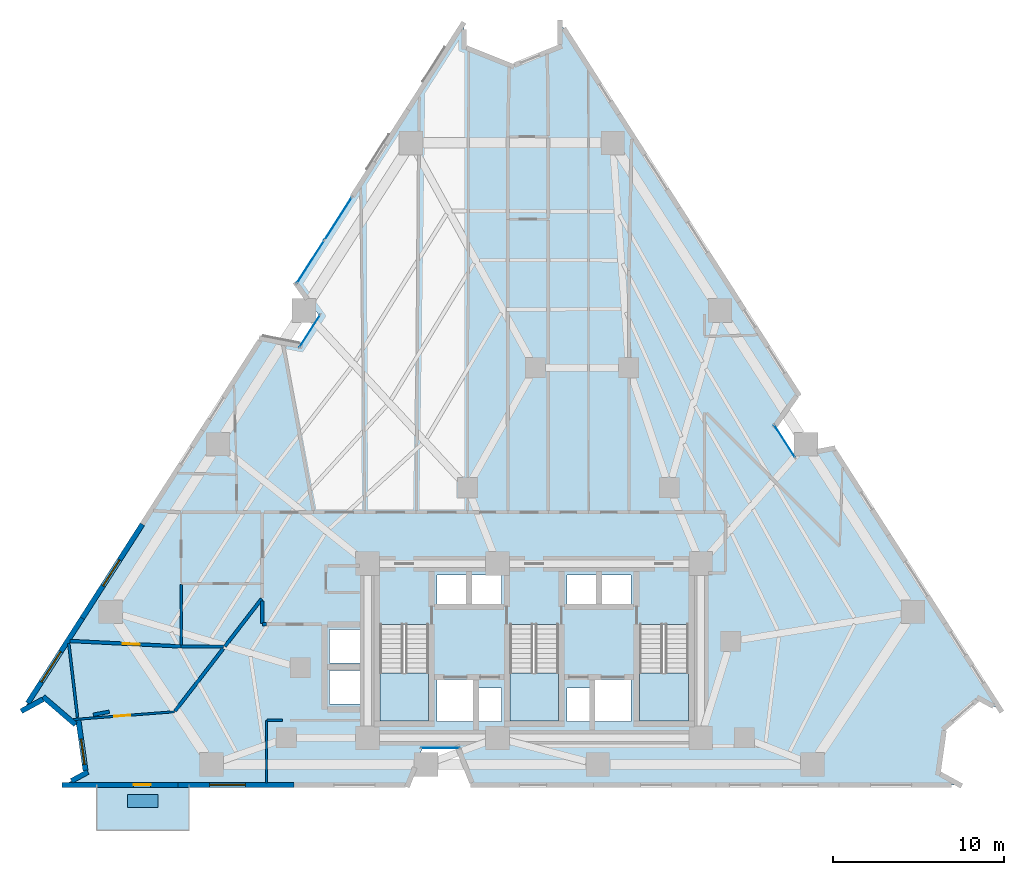
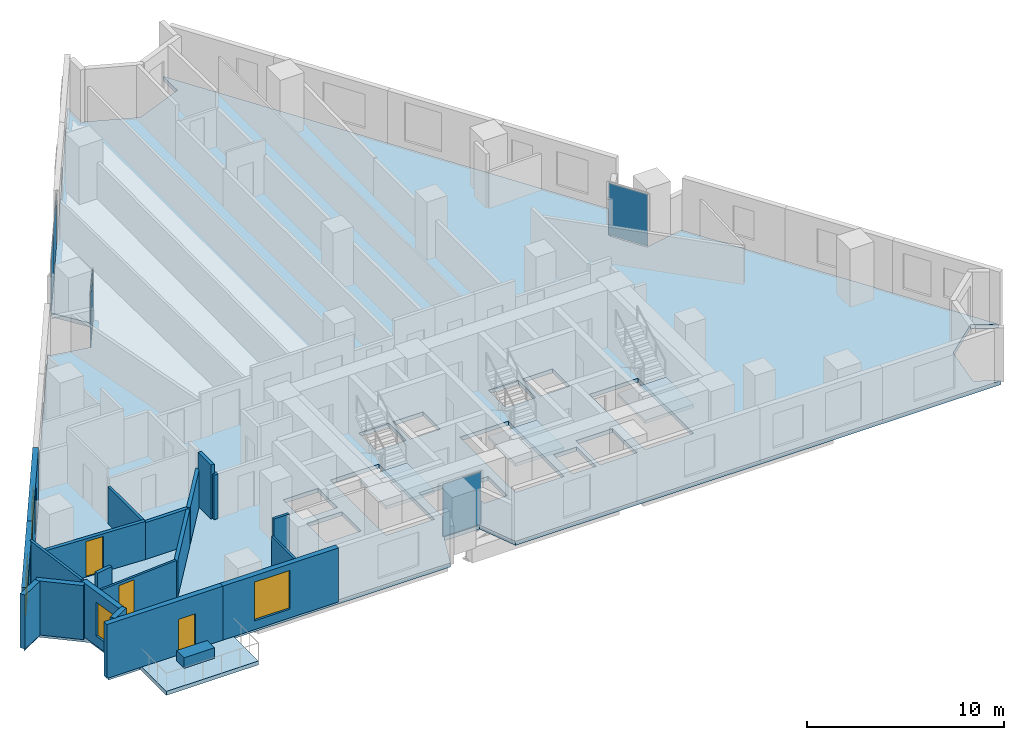
# One storey, part 7 of 15: 20 walls, 6 plates, 5 slabs, 4 windows, 3 doors, 7 openings, 7 elements without a shape of their own.
"""IFC4 building model written with IfcOpenShell, lengths in metres."""

from ifc_helpers import new_model, si_unit, direction, frame, frame_2d, origin, origin_2d, place, context, subcontext, project, spatial, polyline, rectangle, outline, extrude, material, layer, layer_set, type_object, element, fill, aggregate, save


model = new_model("IFC4")

# Units and contexts
model_context = context("Model", 3, precision=1e-05, world=origin(), true_north=direction((0.0, 1.0)))
body_context = subcontext(model_context, "Body", "Model", "MODEL_VIEW")
ifc_project = project(units=[si_unit("LENGTHUNIT", "METRE"), si_unit("AREAUNIT", "SQUARE_METRE"), si_unit("VOLUMEUNIT", "CUBIC_METRE"), si_unit("PLANEANGLEUNIT", "RADIAN"), si_unit("MASSUNIT", "GRAM", prefix="KILO")], contexts=[model_context])

# Site, building, storey
site_placement = place(None, origin())
site = spatial("IfcSite", under=ifc_project, at=site_placement, CompositionType="ELEMENT")
building_placement = place(site_placement, origin())
building = spatial("IfcBuilding", under=site, at=building_placement, Name="Almagre Mirador Tower", CompositionType="ELEMENT")
storey_placement = place(building_placement, frame((0.0, 0.0, 39.0)))
storey = spatial("IfcBuildingStorey", under=building, at=storey_placement, Name="L08", CompositionType="ELEMENT", Elevation=39.0)

# Curtain wall, plate
ifc_material_1 = material(Name="Black anodized aluminium", Category="aluminium")
ifc_layer_1 = layer(ifc_material_1, 0.169921875)
ifc_layer_set_1 = layer_set([ifc_layer_1], Name="Black anodized aluminium")
curtain_wall_type_1 = type_object("IfcCurtainWallType", Name="CW-CRS-SYS", PredefinedType="NOTDEFINED", material=ifc_layer_set_1)
curtain_wall_1_placement = place(storey_placement, origin())
curtain_wall_1 = element("IfcCurtainWall", 1, at=curtain_wall_1_placement, inside=storey, type_object=curtain_wall_type_1, Name="L08 vertical crease curtain wall 01", PredefinedType="NOTDEFINED")
ifc_material_2 = material(Name="Dark solar-control laminated hurricane glass", Category="glass")
ifc_layer_2 = layer(ifc_material_2, 0.028076171875)
ifc_layer_set_2 = layer_set([ifc_layer_2], Name="Dark solar-control laminated hurricane glass")
plate_type_1 = type_object("IfcPlateType", Name="PLT-GLZ-28", PredefinedType="CURTAIN_PANEL", material=ifc_layer_set_2)
plate_1_placement = place(storey_placement, frame((24.173095703125, 28.359619140625, 0.06005859375), z_axis=(0.0, 0.0, 1.0), x_axis=(0.539848636718, 0.841762109764, 0.0)))
plate_1 = element("IfcPlate", 2, at=plate_1_placement, type_object=plate_type_1, Name="CW-4 panel 1.1", PredefinedType="CURTAIN_PANEL", context=body_context, shape_type="SweptSolid", body=[
    extrude(rectangle(XDim=2.24951171875, YDim=0.028076171875, at=origin_2d()), origin(), (0.0, 0.0, 1.0), 3.22998046875),
])
aggregate(curtain_wall_1, [plate_1])

curtain_wall_2_placement = place(storey_placement, origin())
curtain_wall_2 = element("IfcCurtainWall", 3, at=curtain_wall_2_placement, inside=storey, type_object=curtain_wall_type_1, Name="L08 vertical crease curtain wall 03", PredefinedType="NOTDEFINED")
plate_2_placement = place(storey_placement, frame((51.952880859375, 21.92041015625, 0.06005859375), z_axis=(0.0, 0.0, 1.0), x_axis=(0.539848636718, -0.841762109764, 0.0)))
plate_2 = element("IfcPlate", 4, at=plate_2_placement, type_object=plate_type_1, Name="CW-4 panel 1.1", PredefinedType="CURTAIN_PANEL", context=body_context, shape_type="SweptSolid", body=[
    extrude(rectangle(XDim=2.24951171875, YDim=0.028076171875, at=origin_2d()), origin(), (0.0, 0.0, 1.0), 3.22998046875),
])
aggregate(curtain_wall_2, [plate_2])

curtain_wall_3_placement = place(storey_placement, origin())
curtain_wall_3 = element("IfcCurtainWall", 5, at=curtain_wall_3_placement, inside=storey, type_object=curtain_wall_type_1, Name="L08 vertical crease curtain wall 04", PredefinedType="NOTDEFINED")
plate_3_placement = place(storey_placement, frame((31.80810546875, 3.949951171875, 0.06005859375), z_axis=(0.0, 0.0, 1.0), x_axis=(-1.0, 0.0, 0.0)))
plate_3 = element("IfcPlate", 6, at=plate_3_placement, type_object=plate_type_1, Name="CW-4 panel 1.1", PredefinedType="CURTAIN_PANEL", context=body_context, shape_type="SweptSolid", body=[
    extrude(rectangle(XDim=2.25, YDim=0.028076171875, at=origin_2d()), origin(), (0.0, 0.0, 1.0), 3.22998046875),
])
aggregate(curtain_wall_3, [plate_3])

# Curtain wall, plates
ifc_material_3 = material(Name="Black anodized aluminium", Category="aluminium")
ifc_layer_3 = layer(ifc_material_3, 0.18994140625)
ifc_layer_set_3 = layer_set([ifc_layer_3], Name="Black anodized aluminium")
curtain_wall_type_2 = type_object("IfcCurtainWallType", Name="CW-RES-L-SYS", PredefinedType="NOTDEFINED", material=ifc_layer_set_3)
curtain_wall_4_placement = place(storey_placement, origin())
curtain_wall_4 = element("IfcCurtainWall", 7, at=curtain_wall_4_placement, inside=storey, type_object=curtain_wall_type_2, Name="L08 curtain wall run 02", PredefinedType="NOTDEFINED")
ifc_material_4 = material(Name="Dark solar-control laminated hurricane glass", Category="glass")
ifc_layer_4 = layer(ifc_material_4, 0.031982421875)
ifc_layer_set_4 = layer_set([ifc_layer_4], Name="Dark solar-control laminated hurricane glass")
plate_type_2 = type_object("IfcPlateType", Name="PLT-GLZ-32", PredefinedType="CURTAIN_PANEL", material=ifc_layer_set_4)
plate_4_placement = place(storey_placement, frame((24.2138671875, 32.407958984375, 0.06005859375), z_axis=(0.0, 0.0, 1.0), x_axis=(0.539529022287, 0.841967002982, 0.0)))
plate_4 = element("IfcPlate", 8, at=plate_4_placement, type_object=plate_type_2, Name="CW-2 panel 1.1", PredefinedType="CURTAIN_PANEL", context=body_context, shape_type="SweptSolid", body=[
    extrude(rectangle(XDim=2.931640625, YDim=0.031982421875, at=origin_2d()), origin(), (0.0, 0.0, 1.0), 3.22998046875),
])
plate_5_placement = place(storey_placement, frame((25.830810546875, 34.93115234375, 0.06005859375), z_axis=(0.0, 0.0, 1.0), x_axis=(0.539529022287, 0.841967002982, 0.0)))
plate_5 = element("IfcPlate", 9, at=plate_5_placement, type_object=plate_type_2, Name="CW-2 panel 2.1", PredefinedType="CURTAIN_PANEL", context=body_context, shape_type="SweptSolid", body=[
    extrude(rectangle(XDim=2.931640625, YDim=0.031982421875, at=origin_2d()), origin(), (0.0, 0.0, 1.0), 3.22998046875),
])
aggregate(curtain_wall_4, [plate_4, plate_5])

# Plate
ifc_material_5 = material(Name="Precast concrete C50/60", Category="concrete")
ifc_layer_5 = layer(ifc_material_5, 0.64990234375)
ifc_layer_set_5 = layer_set([ifc_layer_5], Name="Precast concrete C50/60")
plate_type_3 = type_object("IfcPlateType", Name="PLT-PLANTER-1800", PredefinedType="USERDEFINED", material=ifc_layer_set_5)
plate_6_placement = place(storey_placement, frame((14.39990234375, 0.85009765625, 0.0), z_axis=(0.0, 0.0, 1.0), x_axis=(1.0, 0.0, 0.0)))
element("IfcPlate", 10, at=plate_6_placement, inside=storey, type_object=plate_type_3, Name="L08 south balcony structural tree planter 1", ObjectType="PLANTER", PredefinedType="USERDEFINED", context=body_context, shape_type="SweptSolid", body=[
    extrude(rectangle(XDim=1.800048828125, YDim=0.75, at=origin_2d()), origin(), (0.0, 0.0, 1.0), 0.64990234375),
])

# Slabs
ifc_material_6 = material(Name="Concrete C45/55", Category="concrete")
ifc_layer_6 = layer(ifc_material_6, 0.239990234375)
ifc_layer_set_6 = layer_set([ifc_layer_6], Name="Concrete C45/55")
slab_type_1 = type_object("IfcSlabType", Name="SLB-BAL-240", PredefinedType="USERDEFINED", material=ifc_layer_set_6)
slab_1_placement = place(storey_placement, frame((0.0, 0.0, -0.239990234375)))
element("IfcSlab", 11, at=slab_1_placement, inside=storey, type_object=slab_type_1, Name="L08 south planted tree balcony 1", ObjectType="BALCONY", PredefinedType="USERDEFINED", context=body_context, shape_type="SweptSolid", body=[
    extrude(outline(polyline([(11.699951171875, 1.820068359375), (17.10009765625, 1.820068359375), (17.10009765625, -0.85009765625), (11.699951171875, -0.85009765625), (11.699951171875, 1.820068359375)])), origin(), (0.0, 0.0, 1.0), 0.239990234375),
])
ifc_material_7 = material(Name="Concrete C45/55", Category="concrete")
ifc_layer_7 = layer(ifc_material_7, 0.25)
ifc_layer_set_7 = layer_set([ifc_layer_7], Name="Concrete C45/55")
slab_type_2 = type_object("IfcSlabType", Name="SLB-FLR-250", PredefinedType="FLOOR", material=ifc_layer_set_7)
slab_2_placement = place(storey_placement, frame((0.0, 0.0, -0.25)))
element("IfcSlab", 12, at=slab_2_placement, inside=storey, type_object=slab_type_2, Name="L08 structural floor slab", PredefinedType="FLOOR", context=body_context, shape_type="SweptSolid", body=[
    extrude(outline(polyline([(7.406005859375, 6.177978515625), (8.6689453125, 6.868896484375), (10.69189453125, 5.132080078125), (11.06298828125, 2.490966796875), (9.800048828125, 1.800048828125), (29.907958984375, 1.800048828125), (30.762939453125, 3.949951171875), (32.85302734375, 3.949951171875), (33.7080078125, 1.800048828125), (62.199951171875, 1.800048828125), (60.93701171875, 2.490966796875), (61.30810546875, 5.132080078125), (63.3310546875, 6.868896484375), (64.593994140625, 6.177978515625), (54.7880859375, 21.48095703125), (52.51708984375, 21.041015625), (51.388916015625, 22.800048828125), (52.738037109375, 24.679931640625), (38.805908203125, 46.422119140625), (38.805908203125, 44.98193359375), (36.0, 43.85595703125), (33.194091796875, 44.98193359375), (33.194091796875, 46.422119140625), (23.387939453125, 31.118896484375), (24.737060546875, 29.239013671875), (23.60888671875, 27.47998046875), (21.337890625, 27.919921875), (7.406005859375, 6.177978515625)]), holes=[polyline([(43.47509765625, 11.196044921875), (46.324951171875, 11.196044921875), (46.324951171875, 5.550048828125), (43.47509765625, 5.550048828125), (43.47509765625, 11.196044921875)]), polyline([(40.820068359375, 5.52001953125), (40.820068359375, 7.97998046875), (42.97998046875, 7.97998046875), (42.97998046875, 5.52001953125), (40.820068359375, 5.52001953125)]), polyline([(41.219970703125, 12.320068359375), (41.219970703125, 14.080078125), (42.97998046875, 14.080078125), (42.97998046875, 12.320068359375), (41.219970703125, 12.320068359375)]), polyline([(39.219970703125, 12.320068359375), (39.219970703125, 14.080078125), (40.97998046875, 14.080078125), (40.97998046875, 12.320068359375), (39.219970703125, 12.320068359375)]), polyline([(39.219970703125, 5.52001953125), (39.219970703125, 7.47998046875), (40.580078125, 7.47998046875), (40.580078125, 5.52001953125), (39.219970703125, 5.52001953125)]), polyline([(35.875, 11.196044921875), (38.72509765625, 11.196044921875), (38.72509765625, 5.550048828125), (35.875, 5.550048828125), (35.875, 11.196044921875)]), polyline([(35.3798828125, 5.52001953125), (34.02001953125, 5.52001953125), (34.02001953125, 7.47998046875), (35.3798828125, 7.47998046875), (35.3798828125, 5.52001953125)]), polyline([(35.3798828125, 12.320068359375), (33.6201171875, 12.320068359375), (33.6201171875, 14.080078125), (35.3798828125, 14.080078125), (35.3798828125, 12.320068359375)]), polyline([(31.6201171875, 5.52001953125), (31.6201171875, 7.97998046875), (33.780029296875, 7.97998046875), (33.780029296875, 5.52001953125), (31.6201171875, 5.52001953125)]), polyline([(31.6201171875, 12.320068359375), (31.6201171875, 14.080078125), (33.3798828125, 14.080078125), (33.3798828125, 12.320068359375), (31.6201171875, 12.320068359375)]), polyline([(28.27490234375, 5.550048828125), (28.27490234375, 11.196044921875), (31.125, 11.196044921875), (31.125, 5.550048828125), (28.27490234375, 5.550048828125)]), polyline([(25.320068359375, 6.52001953125), (25.320068359375, 8.47998046875), (27.3798828125, 8.47998046875), (27.3798828125, 6.52001953125), (25.320068359375, 6.52001953125)]), polyline([(25.320068359375, 8.919921875), (25.320068359375, 10.8798828125), (27.3798828125, 10.8798828125), (27.3798828125, 8.919921875), (25.320068359375, 8.919921875)])]), origin(), (0.0, 0.0, 1.0), 0.25),
])

# Stair, slab
ifc_material_8 = material(Name="Concrete C45/55", Category="concrete")
stair_type = type_object("IfcStairType", Name="STR-DL-3600", PredefinedType="HALF_TURN_STAIR", material=ifc_material_8)
stair_1_placement = place(storey_placement, origin())
stair_1 = element("IfcStair", 13, at=stair_1_placement, inside=storey, type_object=stair_type, Name="L08 Protected exit stair ST-1", PredefinedType="HALF_TURN_STAIR")
ifc_material_9 = material(Name="Concrete C45/55", Category="concrete")
ifc_layer_8 = layer(ifc_material_9, 0.199951171875)
ifc_layer_set_8 = layer_set([ifc_layer_8], Name="Concrete C45/55")
slab_type_3 = type_object("IfcSlabType", Name="SLB-LND-200", PredefinedType="LANDING", material=ifc_layer_set_8)
slab_3_placement = place(storey_placement, frame((0.0, 0.0, 1.60009765625)))
slab_3 = element("IfcSlab", 14, at=slab_3_placement, type_object=slab_type_3, Name="ST-1 landing 1", PredefinedType="LANDING", context=body_context, shape_type="SweptSolid", body=[
    extrude(outline(polyline([(28.27490234375, 8.35009765625), (28.27490234375, 5.550048828125), (31.125, 5.550048828125), (31.125, 8.35009765625), (28.27490234375, 8.35009765625)])), origin(), (0.0, 0.0, 1.0), 0.199951171875),
])
aggregate(stair_1, [slab_3])

stair_2_placement = place(storey_placement, origin())
stair_2 = element("IfcStair", 15, at=stair_2_placement, inside=storey, type_object=stair_type, Name="L08 Protected exit stair ST-2", PredefinedType="HALF_TURN_STAIR")
slab_4_placement = place(storey_placement, frame((0.0, 0.0, 1.60009765625)))
slab_4 = element("IfcSlab", 16, at=slab_4_placement, type_object=slab_type_3, Name="ST-2 landing 1", PredefinedType="LANDING", context=body_context, shape_type="SweptSolid", body=[
    extrude(outline(polyline([(35.875, 8.35009765625), (35.875, 5.550048828125), (38.72509765625, 5.550048828125), (38.72509765625, 8.35009765625), (35.875, 8.35009765625)])), origin(), (0.0, 0.0, 1.0), 0.199951171875),
])
aggregate(stair_2, [slab_4])

stair_3_placement = place(storey_placement, origin())
stair_3 = element("IfcStair", 17, at=stair_3_placement, inside=storey, type_object=stair_type, Name="L08 Protected exit stair ST-3", PredefinedType="HALF_TURN_STAIR")
slab_5_placement = place(storey_placement, frame((0.0, 0.0, 1.60009765625)))
slab_5 = element("IfcSlab", 18, at=slab_5_placement, type_object=slab_type_3, Name="ST-3 landing 1", PredefinedType="LANDING", context=body_context, shape_type="SweptSolid", body=[
    extrude(outline(polyline([(43.47509765625, 8.35009765625), (43.47509765625, 5.550048828125), (46.324951171875, 5.550048828125), (46.324951171875, 8.35009765625), (43.47509765625, 8.35009765625)])), origin(), (0.0, 0.0, 1.0), 0.199951171875),
])
aggregate(stair_3, [slab_5])

# Wall, opening, window
ifc_material_10 = material(Name="Precast concrete C50/60", Category="concrete")
ifc_layer_9 = layer(ifc_material_10, 0.300048828125)
ifc_layer_set_9 = layer_set([ifc_layer_9], Name="Precast concrete C50/60")
wall_type_1 = type_object("IfcWallType", Name="WAL-EXT-300", PredefinedType="SOLIDWALL", material=ifc_layer_set_9)
wall_1_placement = place(storey_placement, frame((23.251953125, 1.800048828125, 0.0), z_axis=(0.0, 0.0, 1.0), x_axis=(-1.0, 0.0, 0.0)))
wall_1 = element("IfcWall", 19, at=wall_1_placement, inside=storey, type_object=wall_type_1, Name="L08 expressed almagre precast frame wall 29", PredefinedType="SOLIDWALL", context=body_context, shape_type="SweptSolid", body=[
    extrude(rectangle(XDim=6.7958984375, YDim=0.300048828125, at=frame_2d((3.39794921875, 0.0))), origin(), (0.0, 0.0, 1.0), 3.35009765625),
])
opening_1_placement = place(wall_1_placement, frame((2.85009765625, 0.0, 0.550048828125)))
opening_1 = element("IfcOpeningElement", 20, at=opening_1_placement, cuts=wall_1, Name="Opening WN-05", PredefinedType="OPENING", context=body_context, shape_type="SweptSolid", body=[
    extrude(rectangle(XDim=2.10009765625, YDim=2.39990234375, at=frame_2d((1.050048828125, 1.199951171875))), frame((0.0, 0.159902, 0.0), z_axis=(0.0, -1.0, 0.0), x_axis=(1.0, 0.0, 0.0)), (0.0, 0.0, 1.0), 0.320049),
])
ifc_material_11 = material(Name="Dark solar-control laminated hurricane glass", Category="glass")
window_type_1 = type_object("IfcWindowType", Name="WIN-2100X2400", PartitioningType="DOUBLE_PANEL_VERTICAL", PredefinedType="WINDOW", material=ifc_material_11)
window_1_placement = place(opening_1_placement, origin())
window_1 = element("IfcWindow", 21, at=window_1_placement, inside=storey, type_object=window_type_1, Name="L08 recessed hurricane window L08-UB-ST", OverallHeight=2.39990234375, OverallWidth=2.10009765625, PartitioningType="SINGLE_PANEL", PredefinedType="WINDOW", context=body_context, shape_type="SweptSolid", body=[
    extrude(rectangle(XDim=2.10009765625, YDim=2.39990234375, at=frame_2d((1.050048828125, 1.199951171875))), frame((0.0, 0.030029296875, 0.0), z_axis=(0.0, -1.0, 0.0), x_axis=(1.0, 0.0, 0.0)), (0.0, 0.0, 1.0), 0.06005859375),
])
fill(opening_1, window_1)

# Wall, opening, door
wall_2_placement = place(storey_placement, frame((16.4560546875, 1.800048828125, 0.0), z_axis=(0.0, 0.0, 1.0), x_axis=(-1.0, 0.0, 0.0)))
wall_2 = element("IfcWall", 22, at=wall_2_placement, inside=storey, type_object=wall_type_1, Name="L08 expressed almagre precast frame wall 30", PredefinedType="SOLIDWALL", context=body_context, shape_type="SweptSolid", body=[
    extrude(rectangle(XDim=6.796142578125, YDim=0.300048828125, at=frame_2d((3.39794921875, 0.0))), origin(), (0.0, 0.0, 1.0), 3.35009765625),
])
opening_2_placement = place(wall_2_placement, frame((1.597412109375, 0.0, 0.0)))
opening_2 = element("IfcOpeningElement", 23, at=opening_2_placement, cuts=wall_2, Name="Opening BD-01", PredefinedType="OPENING", context=body_context, shape_type="SweptSolid", body=[
    extrude(rectangle(XDim=1.0, YDim=2.199951171875, at=frame_2d((0.5, 1.10009765625))), frame((0.0, 0.159902, 0.0), z_axis=(0.0, -1.0, 0.0), x_axis=(1.0, 0.0, 0.0)), (0.0, 0.0, 1.0), 0.320049),
])
ifc_material_12 = material(Name="Black anodized aluminium and laminated glass", Category="aluminium")
door_type_1 = type_object("IfcDoorType", Name="DOR-BAL-1000X2200", OperationType="NOTDEFINED", PredefinedType="DOOR", material=ifc_material_12)
door_1_placement = place(opening_2_placement, origin())
door_1 = element("IfcDoor", 24, at=door_1_placement, inside=storey, type_object=door_type_1, Name="DR-0238 L08 south balcony glazed door 1", OperationType="SINGLE_SWING_RIGHT", OverallHeight=2.199951171875, OverallWidth=1.0, PredefinedType="DOOR", context=body_context, shape_type="SweptSolid", body=[
    extrude(rectangle(XDim=1.0, YDim=2.199951171875, at=frame_2d((0.5, 1.10009765625))), frame((0.0, 0.02490234375, 0.0), z_axis=(0.0, -1.0, 0.0), x_axis=(1.0, 0.0, 0.0)), (0.0, 0.0, 1.0), 0.050048828125),
])
fill(opening_2, door_1)

# Wall
wall_3_placement = place(storey_placement, frame((10.22119140625, 2.030517578125, 0.0), z_axis=(0.0, 0.0, 1.0), x_axis=(0.877343386297, 0.479863087266, 0.0)))
element("IfcWall", 25, at=wall_3_placement, inside=storey, type_object=wall_type_1, Name="L08 expressed almagre precast frame wall 31", PredefinedType="SOLIDWALL", context=body_context, shape_type="SweptSolid", body=[
    extrude(rectangle(XDim=1.099365234375, YDim=0.300048828125, at=frame_2d((0.5498046875, 0.0))), origin(), (0.0, 0.0, 1.0), 3.35009765625),
])

# Wall, opening, window
wall_4_placement = place(storey_placement, frame((11.044189453125, 2.624755859375, 0.0), z_axis=(0.0, 0.0, 1.0), x_axis=(-0.139123594989, 0.99027502509, 0.0)))
wall_4 = element("IfcWall", 26, at=wall_4_placement, inside=storey, type_object=wall_type_1, Name="L08 expressed almagre precast frame wall 32", PredefinedType="SOLIDWALL", context=body_context, shape_type="SweptSolid", body=[
    extrude(rectangle(XDim=3.0498046875, YDim=0.300048828125, at=frame_2d((1.52490234375, 0.0))), origin(), (0.0, 0.0, 1.0), 3.35009765625),
])
opening_3_placement = place(wall_4_placement, frame((0.375, 0.0, 0.60009765625)))
opening_3 = element("IfcOpeningElement", 27, at=opening_3_placement, cuts=wall_4, Name="Opening WN-03", PredefinedType="OPENING", context=body_context, shape_type="SweptSolid", body=[
    extrude(rectangle(XDim=1.5, YDim=2.10009765625, at=frame_2d((0.75, 1.050048828125))), frame((0.0, 0.159902, 0.0), z_axis=(0.0, -1.0, 0.0), x_axis=(1.0, 0.0, 0.0)), (0.0, 0.0, 1.0), 0.320049),
])
ifc_material_13 = material(Name="Dark solar-control laminated hurricane glass", Category="glass")
window_type_2 = type_object("IfcWindowType", Name="WIN-1500X2100", PartitioningType="DOUBLE_PANEL_VERTICAL", PredefinedType="WINDOW", material=ifc_material_13)
window_2_placement = place(opening_3_placement, origin())
window_2 = element("IfcWindow", 28, at=window_2_placement, inside=storey, type_object=window_type_2, Name="L08 recessed hurricane window L08-UA-KT", OverallHeight=2.10009765625, OverallWidth=1.5, PartitioningType="SINGLE_PANEL", PredefinedType="WINDOW", context=body_context, shape_type="SweptSolid", body=[
    extrude(rectangle(XDim=1.5, YDim=2.10009765625, at=frame_2d((0.75, 1.050048828125))), frame((0.0, 0.030029296875, 0.0), z_axis=(0.0, -1.0, 0.0), x_axis=(1.0, 0.0, 0.0)), (0.0, 0.0, 1.0), 0.06005859375),
])
fill(opening_3, window_2)

# Walls
wall_5_placement = place(storey_placement, frame((10.456787109375, 5.333984375, 0.0), z_axis=(0.0, 0.0, 1.0), x_axis=(-0.758710972352, 0.651427402273, 0.0)))
element("IfcWall", 29, at=wall_5_placement, inside=storey, type_object=wall_type_1, Name="L08 expressed almagre precast frame wall 33", PredefinedType="SOLIDWALL", context=body_context, shape_type="SweptSolid", body=[
    extrude(rectangle(XDim=2.496337890625, YDim=0.300048828125, at=frame_2d((1.248046875, 0.0))), origin(), (0.0, 0.0, 1.0), 3.35009765625),
])
wall_6_placement = place(storey_placement, frame((8.550537109375, 6.80419921875, 0.0), z_axis=(0.0, 0.0, 1.0), x_axis=(-0.877287752989, -0.479964788767, 0.0)))
element("IfcWall", 30, at=wall_6_placement, inside=storey, type_object=wall_type_1, Name="L08 expressed almagre precast frame wall 34", PredefinedType="SOLIDWALL", context=body_context, shape_type="SweptSolid", body=[
    extrude(rectangle(XDim=1.444580078125, YDim=0.300048828125, at=frame_2d((0.72216796875, 0.0))), origin(), (0.0, 0.0, 1.0), 3.35009765625),
])

# Wall, opening, window
wall_7_placement = place(storey_placement, frame((7.667724609375, 6.586181640625, 0.0), z_axis=(0.0, 0.0, 1.0), x_axis=(0.539504449159, 0.841982748836, 0.0)))
wall_7 = element("IfcWall", 31, at=wall_7_placement, inside=storey, type_object=wall_type_1, Name="L08 expressed almagre precast frame wall 35", PredefinedType="SOLIDWALL", context=body_context, shape_type="SweptSolid", body=[
    extrude(rectangle(XDim=5.90087890625, YDim=0.300048828125, at=frame_2d((2.950439453125, 0.0))), origin(), (0.0, 0.0, 1.0), 3.35009765625),
])
opening_4_placement = place(wall_7_placement, frame((1.47509765625, 0.0, 0.550048828125)))
opening_4 = element("IfcOpeningElement", 32, at=opening_4_placement, cuts=wall_7, Name="Opening WN-05", PredefinedType="OPENING", context=body_context, shape_type="SweptSolid", body=[
    extrude(rectangle(XDim=2.10009765625, YDim=2.39990234375, at=frame_2d((1.050048828125, 1.199951171875))), frame((0.0, 0.159902, 0.0), z_axis=(0.0, -1.0, 0.0), x_axis=(1.0, 0.0, 0.0)), (0.0, 0.0, 1.0), 0.320049),
])
window_3_placement = place(opening_4_placement, origin())
window_3 = element("IfcWindow", 33, at=window_3_placement, inside=storey, type_object=window_type_1, Name="L08 recessed hurricane window L08-UA-BT", OverallHeight=2.39990234375, OverallWidth=2.10009765625, PartitioningType="SINGLE_PANEL", PredefinedType="WINDOW", context=body_context, shape_type="SweptSolid", body=[
    extrude(rectangle(XDim=2.10009765625, YDim=2.39990234375, at=frame_2d((1.050048828125, 1.199951171875))), frame((0.0, 0.030029296875, 0.0), z_axis=(0.0, -1.0, 0.0), x_axis=(1.0, 0.0, 0.0)), (0.0, 0.0, 1.0), 0.06005859375),
])
fill(opening_4, window_3)

wall_8_placement = place(storey_placement, frame((10.851318359375, 11.5546875, 0.0), z_axis=(0.0, 0.0, 1.0), x_axis=(0.539526045631, 0.841968910403, 0.0)))
wall_8 = element("IfcWall", 34, at=wall_8_placement, inside=storey, type_object=wall_type_1, Name="L08 expressed almagre precast frame wall 36", PredefinedType="SOLIDWALL", context=body_context, shape_type="SweptSolid", body=[
    extrude(rectangle(XDim=6.525634765625, YDim=0.300048828125, at=frame_2d((3.2626953125, 0.0))), origin(), (0.0, 0.0, 1.0), 3.35009765625),
])
opening_5_placement = place(wall_8_placement, frame((2.25, 0.0, 0.60009765625)))
opening_5 = element("IfcOpeningElement", 35, at=opening_5_placement, cuts=wall_8, Name="Opening WN-01", PredefinedType="OPENING", context=body_context, shape_type="SweptSolid", body=[
    extrude(rectangle(XDim=1.800048828125, YDim=2.10009765625, at=frame_2d((0.89990234375, 1.050048828125))), frame((0.0, 0.159902, 0.0), z_axis=(0.0, -1.0, 0.0), x_axis=(1.0, 0.0, 0.0)), (0.0, 0.0, 1.0), 0.320049),
])
ifc_material_14 = material(Name="Dark solar-control laminated hurricane glass", Category="glass")
window_type_3 = type_object("IfcWindowType", Name="WIN-1800X2100", PartitioningType="DOUBLE_PANEL_VERTICAL", PredefinedType="WINDOW", material=ifc_material_14)
window_4_placement = place(opening_5_placement, origin())
window_4 = element("IfcWindow", 36, at=window_4_placement, inside=storey, type_object=window_type_3, Name="L08 recessed hurricane window L08-UE-KT", OverallHeight=2.10009765625, OverallWidth=1.800048828125, PartitioningType="SINGLE_PANEL", PredefinedType="WINDOW", context=body_context, shape_type="SweptSolid", body=[
    extrude(rectangle(XDim=1.800048828125, YDim=2.10009765625, at=frame_2d((0.89990234375, 1.050048828125))), frame((0.0, 0.030029296875, 0.0), z_axis=(0.0, -1.0, 0.0), x_axis=(1.0, 0.0, 0.0)), (0.0, 0.0, 1.0), 0.06005859375),
])
fill(opening_5, window_4)

# Wall, opening, door
ifc_material_15 = material(Name="Gypsum acoustic stud partition", Category="other")
ifc_layer_10 = layer(ifc_material_15, 0.125)
ifc_layer_set_10 = layer_set([ifc_layer_10], Name="Gypsum acoustic stud partition")
wall_type_2 = type_object("IfcWallType", Name="WAL-PRT-125-UTL", PredefinedType="PARTITIONING", material=ifc_layer_set_10)
wall_9_placement = place(storey_placement, frame((10.302001953125, 5.6220703125, 0.0), z_axis=(0.0, 0.0, 1.0), x_axis=(0.997048464094, 0.076774737046, 0.0)))
wall_9 = element("IfcWall", 37, at=wall_9_placement, inside=storey, type_object=wall_type_2, Name="L08 interior partition 020", PredefinedType="PARTITIONING", context=body_context, shape_type="SweptSolid", body=[
    extrude(rectangle(XDim=5.965576171875, YDim=0.125, at=frame_2d((2.98291015625, 0.0))), origin(), (0.0, 0.0, 1.0), 2.3701171875),
])
opening_6_placement = place(wall_9_placement, frame((2.4208984375, 0.0, 0.0)))
opening_6 = element("IfcOpeningElement", 38, at=opening_6_placement, cuts=wall_9, Name="Opening UD-01", PredefinedType="OPENING", context=body_context, shape_type="SweptSolid", body=[
    extrude(rectangle(XDim=0.949951171875, YDim=2.199951171875, at=frame_2d((0.47509765625, 1.10009765625))), frame((0.0, 0.0725, 0.0), z_axis=(0.0, -1.0, 0.0), x_axis=(1.0, 0.0, 0.0)), (0.0, 0.0, 1.0), 0.145),
])
ifc_material_16 = material(Name="Solid American walnut timber", Category="wood")
door_type_2 = type_object("IfcDoorType", Name="DOR-UNR-950X2200", OperationType="NOTDEFINED", PredefinedType="DOOR", material=ifc_material_16)
door_2_placement = place(opening_6_placement, origin())
door_2 = element("IfcDoor", 39, at=door_2_placement, inside=storey, type_object=door_type_2, Name="DR-0250 L08 interior door L08-UA-ST to L08-UA-KT", OperationType="SINGLE_SWING_RIGHT", OverallHeight=2.199951171875, OverallWidth=0.949951171875, PredefinedType="DOOR", context=body_context, shape_type="SweptSolid", body=[
    extrude(rectangle(XDim=0.949951171875, YDim=2.199951171875, at=frame_2d((0.47509765625, 1.10009765625))), frame((0.0, 0.02490234375, 0.0), z_axis=(0.0, -1.0, 0.0), x_axis=(1.0, 0.0, 0.0)), (0.0, 0.0, 1.0), 0.050048828125),
])
fill(opening_6, door_2)

# Walls
wall_10_placement = place(storey_placement, frame((21.6298828125, 1.89990234375, 0.0), z_axis=(0.0, 0.0, 1.0), x_axis=(0.0, 1.0, 0.0)))
element("IfcWall", 40, at=wall_10_placement, inside=storey, type_object=wall_type_2, Name="L08 interior partition 027", PredefinedType="PARTITIONING", context=body_context, shape_type="SweptSolid", body=[
    extrude(rectangle(XDim=3.670166015625, YDim=0.125, at=frame_2d((1.8349609375, 0.0))), origin(), (0.0, 0.0, 1.0), 2.279052734375),
])
ifc_material_17 = material(Name="Gypsum acoustic stud partition", Category="other")
ifc_layer_11 = layer(ifc_material_17, 0.14990234375)
ifc_layer_set_11 = layer_set([ifc_layer_11], Name="Gypsum acoustic stud partition")
wall_type_3 = type_object("IfcWallType", Name="WAL-PRT-150-STD", PredefinedType="PARTITIONING", material=ifc_layer_set_11)
wall_11_placement = place(storey_placement, frame((21.677490234375, 5.570068359375, 0.0), z_axis=(0.0, 0.0, 1.0), x_axis=(1.0, 0.0, 0.0)))
element("IfcWall", 41, at=wall_11_placement, inside=storey, type_object=wall_type_3, Name="L08 interior partition 029", PredefinedType="PARTITIONING", context=body_context, shape_type="SweptSolid", body=[
    extrude(rectangle(XDim=0.902587890625, YDim=0.14990234375, at=frame_2d((0.451171875, 0.0))), origin(), (0.0, 0.0, 1.0), 3.35009765625),
])
wall_12_placement = place(storey_placement, frame((16.639892578125, 13.52001953125, 0.0), z_axis=(0.0, 0.0, 1.0), x_axis=(0.0, -1.0, 0.0)))
element("IfcWall", 42, at=wall_12_placement, inside=storey, type_object=wall_type_3, Name="L08 interior partition 037", PredefinedType="PARTITIONING", context=body_context, shape_type="SweptSolid", body=[
    extrude(rectangle(XDim=3.534912109375, YDim=0.14990234375, at=frame_2d((1.767578125, 0.0))), origin(), (0.0, 0.0, 1.0), 2.279052734375),
])
wall_13_placement = place(storey_placement, frame((10.576904296875, 5.760986328125, 0.0), z_axis=(0.0, 0.0, 1.0), x_axis=(-0.117632098524, 0.993057243766, 0.0)))
element("IfcWall", 43, at=wall_13_placement, inside=storey, type_object=wall_type_3, Name="L08 interior partition 074", PredefinedType="PARTITIONING", context=body_context, shape_type="SweptSolid", body=[
    extrude(rectangle(XDim=4.352294921875, YDim=0.14990234375, at=frame_2d((2.17626953125, 0.0))), origin(), (0.0, 0.0, 1.0), 3.35009765625),
])
ifc_material_18 = material(Name="Gypsum acoustic stud partition", Category="other")
ifc_layer_12 = layer(ifc_material_18, 0.199951171875)
ifc_layer_set_12 = layer_set([ifc_layer_12], Name="Gypsum acoustic stud partition")
wall_type_4 = type_object("IfcWallType", Name="WAL-PRT-200-EI60", PredefinedType="PARTITIONING", material=ifc_layer_set_12)
wall_14_placement = place(storey_placement, frame((21.39990234375, 12.550048828125, 0.0), z_axis=(0.0, 0.0, 1.0), x_axis=(0.0, -1.0, 0.0)))
element("IfcWall", 44, at=wall_14_placement, inside=storey, type_object=wall_type_4, Name="L08 interior partition 001", PredefinedType="PARTITIONING", context=body_context, shape_type="SweptSolid", body=[
    extrude(rectangle(XDim=1.304931640625, YDim=0.199951171875, at=frame_2d((0.65234375, 0.0))), origin(), (0.0, 0.0, 1.0), 3.35009765625),
])
wall_15_placement = place(storey_placement, frame((21.39990234375, 11.199951171875, 0.0), z_axis=(0.0, 0.0, 1.0), x_axis=(1.0, 0.0, 0.0)))
element("IfcWall", 45, at=wall_15_placement, inside=storey, type_object=wall_type_4, Name="L08 interior partition 002", PredefinedType="PARTITIONING", context=body_context, shape_type="SweptSolid", body=[
    extrude(rectangle(XDim=0.22998046875, YDim=0.199951171875, at=frame_2d((0.114990234375, 0.0))), origin(), (0.0, 0.0, 1.0), 2.77099609375),
])
wall_16_placement = place(storey_placement, frame((16.279052734375, 6.11767578125, 0.0), z_axis=(0.0, 0.0, 1.0), x_axis=(0.611231323246, 0.791452000745, 0.0)))
element("IfcWall", 46, at=wall_16_placement, inside=storey, type_object=wall_type_4, Name="L08 interior partition 022", PredefinedType="PARTITIONING", context=body_context, shape_type="SweptSolid", body=[
    extrude(rectangle(XDim=4.62890625, YDim=0.199951171875, at=frame_2d((2.314453125, 0.0))), origin(), (0.0, 0.0, 1.0), 2.279052734375),
])
wall_17_placement = place(storey_placement, frame((19.114990234375, 9.89990234375, 0.0), z_axis=(0.0, 0.0, 1.0), x_axis=(-1.0, 0.0, 0.0)))
element("IfcWall", 47, at=wall_17_placement, inside=storey, type_object=wall_type_4, Name="L08 interior partition 023", PredefinedType="PARTITIONING", context=body_context, shape_type="SweptSolid", body=[
    extrude(rectangle(XDim=2.47509765625, YDim=0.199951171875, at=frame_2d((1.237548828125, 0.0))), origin(), (0.0, 0.0, 1.0), 2.279052734375),
])

# Wall, opening, door
wall_18_placement = place(storey_placement, frame((16.639892578125, 9.89990234375, 0.0), z_axis=(0.0, 0.0, 1.0), x_axis=(-0.998783560552, 0.049309219933, 0.0)))
wall_18 = element("IfcWall", 48, at=wall_18_placement, inside=storey, type_object=wall_type_4, Name="L08 interior partition 024", PredefinedType="PARTITIONING", context=body_context, shape_type="SweptSolid", body=[
    extrude(rectangle(XDim=6.5107421875, YDim=0.199951171875, at=frame_2d((3.25537109375, 0.0))), origin(), (0.0, 0.0, 1.0), 2.3701171875),
])
opening_7_placement = place(wall_18_placement, frame((2.412109375, 0.0, 0.0)))
opening_7 = element("IfcOpeningElement", 49, at=opening_7_placement, cuts=wall_18, Name="Opening ID-01", PredefinedType="OPENING", context=body_context, shape_type="SweptSolid", body=[
    extrude(rectangle(XDim=1.0, YDim=2.199951171875, at=frame_2d((0.5, 1.10009765625))), frame((0.0, 0.110098, 0.0), z_axis=(0.0, -1.0, 0.0), x_axis=(1.0, 0.0, 0.0)), (0.0, 0.0, 1.0), 0.219951),
])
ifc_material_19 = material(Name="Fire-rated walnut timber", Category="wood")
door_type_3 = type_object("IfcDoorType", Name="DOR-FD60-1000X2200", OperationType="NOTDEFINED", PredefinedType="DOOR", material=ifc_material_19)
door_3_placement = place(opening_7_placement, origin())
door_3 = element("IfcDoor", 50, at=door_3_placement, inside=storey, type_object=door_type_3, Name="DR-0261 L08 interior door L08-UA-ST to L08-UE-KT", OperationType="SINGLE_SWING_RIGHT", OverallHeight=2.199951171875, OverallWidth=1.0, PredefinedType="DOOR", context=body_context, shape_type="SweptSolid", body=[
    extrude(rectangle(XDim=1.0, YDim=2.199951171875, at=frame_2d((0.5, 1.10009765625))), frame((0.0, 0.02490234375, 0.0), z_axis=(0.0, -1.0, 0.0), x_axis=(1.0, 0.0, 0.0)), (0.0, 0.0, 1.0), 0.050048828125),
])
fill(opening_7, door_3)

# Walls
wall_19_placement = place(storey_placement, frame((21.34814453125, 12.6826171875, 0.0), z_axis=(0.0, 0.0, 1.0), x_axis=(-0.611075844668, -0.791572051088, 0.0)))
element("IfcWall", 51, at=wall_19_placement, inside=storey, type_object=wall_type_4, Name="L08 interior partition 028", PredefinedType="PARTITIONING", context=body_context, shape_type="SweptSolid", body=[
    extrude(rectangle(XDim=3.515380859375, YDim=0.199951171875, at=frame_2d((1.7578125, 0.0))), origin(), (0.0, 0.0, 1.0), 2.279052734375),
])
wall_20_placement = place(storey_placement, frame((11.501953125, 5.907958984375, 0.0), z_axis=(0.0, 0.0, 1.0), x_axis=(0.983510869315, 0.180849025265, 0.0)))
element("IfcWall", 52, at=wall_20_placement, inside=storey, type_object=wall_type_4, Name="L08 interior partition 069", PredefinedType="PARTITIONING", context=body_context, shape_type="SweptSolid", body=[
    extrude(rectangle(XDim=0.95166015625, YDim=0.199951171875, at=frame_2d((0.475830078125, 0.0))), origin(), (0.0, 0.0, 1.0), 3.35009765625),
])

save(model, "model.ifc")
